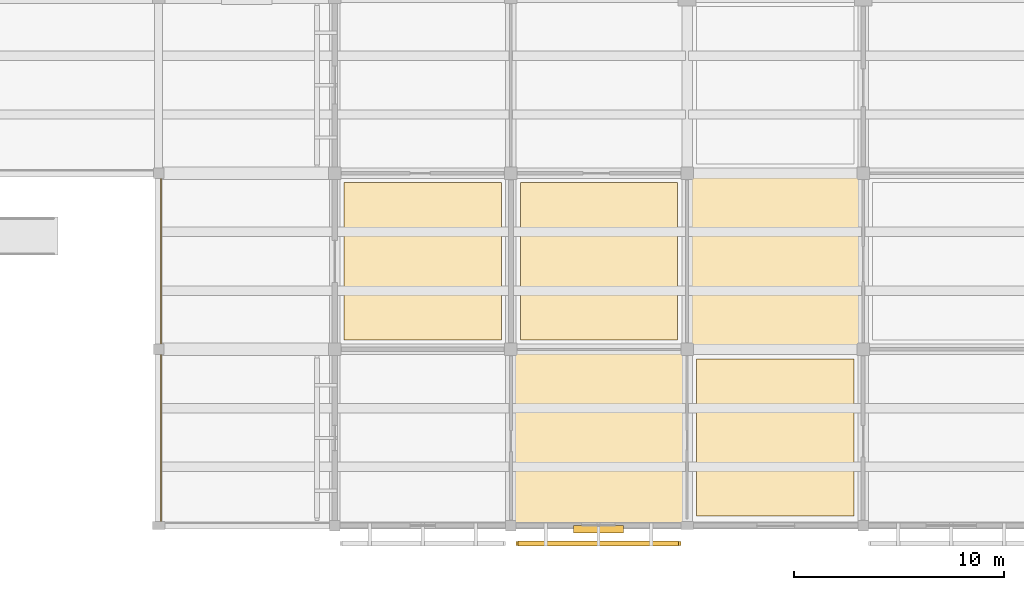
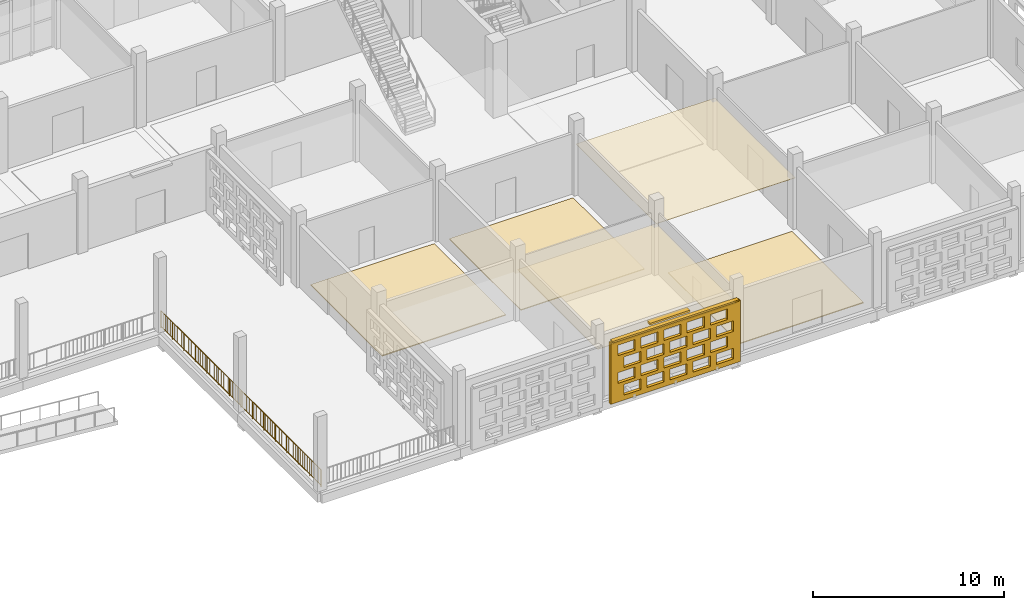
# One storey, part 111 of 129: 6 coverings, 2 shading devices, 1 railing, 20 openings.
"""IFC4 building model written with IfcOpenShell, lengths in metres."""

from ifc_helpers import new_model, si_unit, direction, frame, frame_2d, origin, origin_2d, place, context, subcontext, project, spatial, rectangle, circle, extrude, material, layer, layer_set, type_object, element, save


model = new_model("IFC4")

# Units and contexts
model_context = context("Model", 3, precision=1e-05, world=origin(), true_north=direction((0.0, 1.0)))
body_context = subcontext(model_context, "Body", "Model", "MODEL_VIEW")
ifc_project = project(units=[si_unit("LENGTHUNIT", "METRE"), si_unit("AREAUNIT", "SQUARE_METRE"), si_unit("VOLUMEUNIT", "CUBIC_METRE"), si_unit("PLANEANGLEUNIT", "RADIAN"), si_unit("MASSUNIT", "GRAM", prefix="KILO")], contexts=[model_context])

# Site, building, storey
site_placement = place(None, origin())
site = spatial("IfcSite", under=ifc_project, at=site_placement, CompositionType="ELEMENT")
building_placement = place(site_placement, origin())
building = spatial("IfcBuilding", under=site, at=building_placement, Name="Varnapada Polytechnic", CompositionType="ELEMENT")
storey_placement = place(building_placement, origin())
storey = spatial("IfcBuildingStorey", under=building, at=storey_placement, Name="L00", CompositionType="ELEMENT", Elevation=0.0)

# Coverings
ifc_material_1 = material(Name="Anti-Static Raised Laboratory Flooring")
ifc_layer_1 = layer(ifc_material_1, 0.06005859375)
ifc_layer_set_1 = layer_set([ifc_layer_1], Name="Anti-Static Raised Laboratory Flooring")
covering_type_1 = type_object("IfcCoveringType", Name="Floor Finish FLR-02", PredefinedType="FLOORING", material=ifc_layer_set_1)
covering_1_placement = place(storey_placement, frame((138.60009765625, 12.60009765625, 0.0), z_axis=(0.0, 0.0, 1.0), x_axis=(1.0, 0.0, 0.0)))
element("IfcCovering", 1, at=covering_1_placement, inside=storey, type_object=covering_type_1, Name="L00 floor finish panel (17,2)", PredefinedType="FLOORING", context=body_context, shape_type="SweptSolid", body=[
    extrude(rectangle(XDim=7.5, YDim=7.5, at=origin_2d()), origin(), (0.0, 0.0, 1.0), 0.06005859375),
])
ifc_material_2 = material(Name="End-Grain Timber Studio Block Flooring", Category="wood")
ifc_layer_2 = layer(ifc_material_2, 0.054931640625)
ifc_layer_set_2 = layer_set([ifc_layer_2], Name="End-Grain Timber Studio Block Flooring")
covering_type_2 = type_object("IfcCoveringType", Name="Floor Finish FLR-04", PredefinedType="FLOORING", material=ifc_layer_set_2)
for number, where, z_axis, x_axis, name in (
    (2, (147.0, 12.60009765625, 0.0), (0.0, 0.0, 1.0), (1.0, 0.0, 0.0), "L00 floor finish panel (18,2)"),
    (3, (155.39990234375, 4.199951171875, 0.0), (0.0, 0.0, 1.0), (1.0, 0.0, 0.0), "L00 floor finish panel (19,1)"),
):
    element("IfcCovering", number, at=place(storey_placement, frame(where, z_axis=z_axis, x_axis=x_axis)), inside=storey, type_object=covering_type_2, Name=name, PredefinedType="FLOORING", context=body_context, shape_type="SweptSolid", body=[
        extrude(rectangle(XDim=7.5, YDim=7.5, at=origin_2d()), origin(), (0.0, 0.0, 1.0), 0.054931640625),
    ])

# Shading device
ifc_material_3 = material(Name="Anodised aluminium", Category="aluminium")
ifc_layer_3 = layer(ifc_material_3, 0.35009765625)
ifc_layer_set_3 = layer_set([ifc_layer_3], Name="Anodised aluminium")
shading_device_type_1 = type_object("IfcShadingDeviceType", Name="Solar Louvre LVR-01", PredefinedType="JALOUSIE", material=ifc_layer_set_3)
shading_device_1_placement = place(storey_placement, frame((146.97509765625, -0.179931640625, 3.760009765625), z_axis=(0.0, 0.0, 1.0), x_axis=(-1.0, 0.0, 0.0)))
element("IfcShadingDevice", 4, at=shading_device_1_placement, inside=storey, type_object=shading_device_type_1, Name="L00 aluminium sun louvre 91", PredefinedType="JALOUSIE", context=body_context, shape_type="SweptSolid", body=[
    extrude(rectangle(XDim=2.39990234375, YDim=0.340087890625, at=origin_2d()), origin(), (0.0, 0.0, 1.0), 0.1201171875),
])

# Coverings
ifc_material_4 = material(Name="Moisture-Resistant Aluminum Baffle Ceiling", Category="aluminium")
ifc_layer_4 = layer(ifc_material_4, 0.030029296875)
ifc_layer_set_4 = layer_set([ifc_layer_4], Name="Moisture-Resistant Aluminum Baffle Ceiling")
covering_type_3 = type_object("IfcCoveringType", Name="Suspended Ceiling CLG-03", PredefinedType="CEILING", material=ifc_layer_set_4)
for number, where, z_axis, x_axis, name in (
    (5, (147.0, 4.199951171875, 3.03515625), (0.0, 0.0, 1.0), (1.0, 0.0, 0.0), "L00 suspended acoustic ceiling (18,1)"),
    (6, (155.39990234375, 12.60009765625, 3.03515625), (0.0, 0.0, 1.0), (1.0, 0.0, 0.0), "L00 suspended acoustic ceiling (19,2)"),
):
    element("IfcCovering", number, at=place(storey_placement, frame(where, z_axis=z_axis, x_axis=x_axis)), inside=storey, type_object=covering_type_3, Name=name, PredefinedType="CEILING", context=body_context, shape_type="SweptSolid", body=[
        extrude(rectangle(XDim=8.419921875, YDim=8.419921875, at=origin_2d()), origin(), (0.0, 0.0, 1.0), 0.030029296875),
    ])

# Railing
ifc_material_5 = material(Name="Painted galvanized steel", Category="steel")
railing_type = type_object("IfcRailingType", Name="Terrace Guard Rail GRD-01", PredefinedType="BALUSTRADE", material=ifc_material_5)
railing_placement = place(storey_placement, frame((126.1201171875, 16.919921875, 0.0)))
element("IfcRailing", 7, at=railing_placement, inside=storey, type_object=railing_type, Name="L00 civic square colonnade edge guard GRD-SQ-E1", PredefinedType="BALUSTRADE", context=body_context, shape_type="SweptSolid", body=[
    extrude(circle(Radius=0.02392578125, at=origin_2d()), frame((0.0, 0.0, 1.09619140625), z_axis=(0.0, -1.0, 0.0), x_axis=(1.0, 0.0, 0.0)), (0.0, 0.0, 1.0), 16.7998046875),
    extrude(circle(Radius=0.02392578125, at=origin_2d()), frame((0.0, 0.0, 0.10009765625), z_axis=(0.0, -1.0, 0.0), x_axis=(1.0, 0.0, 0.0)), (0.0, 0.0, 1.0), 16.7998046875),
    extrude(circle(Radius=0.02099609375, at=origin_2d()), origin(), (0.0, 0.0, 1.0), 1.072021484375),
    extrude(circle(Radius=0.02099609375, at=origin_2d()), frame((0.0, -1.199951171875, 0.0)), (0.0, 0.0, 1.0), 1.072021484375),
    extrude(circle(Radius=0.02099609375, at=origin_2d()), frame((0.0, -2.39990234375, 0.0)), (0.0, 0.0, 1.0), 1.072021484375),
    extrude(circle(Radius=0.02099609375, at=origin_2d()), frame((0.0, -3.599853515625, 0.0)), (0.0, 0.0, 1.0), 1.072021484375),
    extrude(circle(Radius=0.02099609375, at=origin_2d()), frame((0.0, -4.800048828125, 0.0)), (0.0, 0.0, 1.0), 1.072021484375),
    extrude(circle(Radius=0.02099609375, at=origin_2d()), frame((0.0, -6.0, 0.0)), (0.0, 0.0, 1.0), 1.072021484375),
    extrude(circle(Radius=0.02099609375, at=origin_2d()), frame((0.0, -7.199951171875, 0.0)), (0.0, 0.0, 1.0), 1.072021484375),
    extrude(circle(Radius=0.02099609375, at=origin_2d()), frame((0.0, -8.39990234375, 0.0)), (0.0, 0.0, 1.0), 1.072021484375),
    extrude(circle(Radius=0.02099609375, at=origin_2d()), frame((0.0, -9.599853515625, 0.0)), (0.0, 0.0, 1.0), 1.072021484375),
    extrude(circle(Radius=0.02099609375, at=origin_2d()), frame((0.0, -10.7998046875, 0.0)), (0.0, 0.0, 1.0), 1.072021484375),
    extrude(circle(Radius=0.02099609375, at=origin_2d()), frame((0.0, -11.999755859375, 0.0)), (0.0, 0.0, 1.0), 1.072021484375),
    extrude(circle(Radius=0.02099609375, at=origin_2d()), frame((0.0, -13.199951171875, 0.0)), (0.0, 0.0, 1.0), 1.072021484375),
    extrude(circle(Radius=0.02099609375, at=origin_2d()), frame((0.0, -14.39990234375, 0.0)), (0.0, 0.0, 1.0), 1.072021484375),
    extrude(circle(Radius=0.02099609375, at=origin_2d()), frame((0.0, -15.599853515625, 0.0)), (0.0, 0.0, 1.0), 1.072021484375),
    extrude(circle(Radius=0.02099609375, at=origin_2d()), frame((0.0, -16.7998046875, 0.0)), (0.0, 0.0, 1.0), 1.072021484375),
    extrude(circle(Radius=0.010009765625, at=origin_2d()), frame((0.0, -0.243408203125, 0.10009765625)), (0.0, 0.0, 1.0), 0.971923828125),
    extrude(circle(Radius=0.010009765625, at=origin_2d()), frame((0.0, -0.487060546875, 0.10009765625)), (0.0, 0.0, 1.0), 0.971923828125),
    extrude(circle(Radius=0.010009765625, at=origin_2d()), frame((0.0, -0.73046875, 0.10009765625)), (0.0, 0.0, 1.0), 0.971923828125),
    extrude(circle(Radius=0.010009765625, at=origin_2d()), frame((0.0, -0.973876953125, 0.10009765625)), (0.0, 0.0, 1.0), 0.971923828125),
    extrude(circle(Radius=0.010009765625, at=origin_2d()), frame((0.0, -1.21728515625, 0.10009765625)), (0.0, 0.0, 1.0), 0.971923828125),
    extrude(circle(Radius=0.010009765625, at=origin_2d()), frame((0.0, -1.4609375, 0.10009765625)), (0.0, 0.0, 1.0), 0.971923828125),
    extrude(circle(Radius=0.010009765625, at=origin_2d()), frame((0.0, -1.704345703125, 0.10009765625)), (0.0, 0.0, 1.0), 0.971923828125),
    extrude(circle(Radius=0.010009765625, at=origin_2d()), frame((0.0, -1.94775390625, 0.10009765625)), (0.0, 0.0, 1.0), 0.971923828125),
    extrude(circle(Radius=0.010009765625, at=origin_2d()), frame((0.0, -2.191162109375, 0.10009765625)), (0.0, 0.0, 1.0), 0.971923828125),
    extrude(circle(Radius=0.010009765625, at=origin_2d()), frame((0.0, -2.434814453125, 0.10009765625)), (0.0, 0.0, 1.0), 0.971923828125),
    extrude(circle(Radius=0.010009765625, at=origin_2d()), frame((0.0, -2.67822265625, 0.10009765625)), (0.0, 0.0, 1.0), 0.971923828125),
    extrude(circle(Radius=0.010009765625, at=origin_2d()), frame((0.0, -2.921630859375, 0.10009765625)), (0.0, 0.0, 1.0), 0.971923828125),
    extrude(circle(Radius=0.010009765625, at=origin_2d()), frame((0.0, -3.165283203125, 0.10009765625)), (0.0, 0.0, 1.0), 0.971923828125),
    extrude(circle(Radius=0.010009765625, at=origin_2d()), frame((0.0, -3.40869140625, 0.10009765625)), (0.0, 0.0, 1.0), 0.971923828125),
    extrude(circle(Radius=0.010009765625, at=origin_2d()), frame((0.0, -3.652099609375, 0.10009765625)), (0.0, 0.0, 1.0), 0.971923828125),
    extrude(circle(Radius=0.010009765625, at=origin_2d()), frame((0.0, -3.8955078125, 0.10009765625)), (0.0, 0.0, 1.0), 0.971923828125),
    extrude(circle(Radius=0.010009765625, at=origin_2d()), frame((0.0, -4.13916015625, 0.10009765625)), (0.0, 0.0, 1.0), 0.971923828125),
    extrude(circle(Radius=0.010009765625, at=origin_2d()), frame((0.0, -4.382568359375, 0.10009765625)), (0.0, 0.0, 1.0), 0.971923828125),
    extrude(circle(Radius=0.010009765625, at=origin_2d()), frame((0.0, -4.6259765625, 0.10009765625)), (0.0, 0.0, 1.0), 0.971923828125),
    extrude(circle(Radius=0.010009765625, at=origin_2d()), frame((0.0, -4.86962890625, 0.10009765625)), (0.0, 0.0, 1.0), 0.971923828125),
    extrude(circle(Radius=0.010009765625, at=origin_2d()), frame((0.0, -5.113037109375, 0.10009765625)), (0.0, 0.0, 1.0), 0.971923828125),
    extrude(circle(Radius=0.010009765625, at=origin_2d()), frame((0.0, -5.3564453125, 0.10009765625)), (0.0, 0.0, 1.0), 0.971923828125),
    extrude(circle(Radius=0.010009765625, at=origin_2d()), frame((0.0, -5.599853515625, 0.10009765625)), (0.0, 0.0, 1.0), 0.971923828125),
    extrude(circle(Radius=0.010009765625, at=origin_2d()), frame((0.0, -5.843505859375, 0.10009765625)), (0.0, 0.0, 1.0), 0.971923828125),
    extrude(circle(Radius=0.010009765625, at=origin_2d()), frame((0.0, -6.0869140625, 0.10009765625)), (0.0, 0.0, 1.0), 0.971923828125),
    extrude(circle(Radius=0.010009765625, at=origin_2d()), frame((0.0, -6.330322265625, 0.10009765625)), (0.0, 0.0, 1.0), 0.971923828125),
    extrude(circle(Radius=0.010009765625, at=origin_2d()), frame((0.0, -6.57373046875, 0.10009765625)), (0.0, 0.0, 1.0), 0.971923828125),
    extrude(circle(Radius=0.010009765625, at=origin_2d()), frame((0.0, -6.8173828125, 0.10009765625)), (0.0, 0.0, 1.0), 0.971923828125),
    extrude(circle(Radius=0.010009765625, at=origin_2d()), frame((0.0, -7.060791015625, 0.10009765625)), (0.0, 0.0, 1.0), 0.971923828125),
    extrude(circle(Radius=0.010009765625, at=origin_2d()), frame((0.0, -7.30419921875, 0.10009765625)), (0.0, 0.0, 1.0), 0.971923828125),
    extrude(circle(Radius=0.010009765625, at=origin_2d()), frame((0.0, -7.5478515625, 0.10009765625)), (0.0, 0.0, 1.0), 0.971923828125),
    extrude(circle(Radius=0.010009765625, at=origin_2d()), frame((0.0, -7.791259765625, 0.10009765625)), (0.0, 0.0, 1.0), 0.971923828125),
    extrude(circle(Radius=0.010009765625, at=origin_2d()), frame((0.0, -8.03466796875, 0.10009765625)), (0.0, 0.0, 1.0), 0.971923828125),
    extrude(circle(Radius=0.010009765625, at=origin_2d()), frame((0.0, -8.278076171875, 0.10009765625)), (0.0, 0.0, 1.0), 0.971923828125),
    extrude(circle(Radius=0.010009765625, at=origin_2d()), frame((0.0, -8.521728515625, 0.10009765625)), (0.0, 0.0, 1.0), 0.971923828125),
    extrude(circle(Radius=0.010009765625, at=origin_2d()), frame((0.0, -8.76513671875, 0.10009765625)), (0.0, 0.0, 1.0), 0.971923828125),
    extrude(circle(Radius=0.010009765625, at=origin_2d()), frame((0.0, -9.008544921875, 0.10009765625)), (0.0, 0.0, 1.0), 0.971923828125),
    extrude(circle(Radius=0.010009765625, at=origin_2d()), frame((0.0, -9.251953125, 0.10009765625)), (0.0, 0.0, 1.0), 0.971923828125),
    extrude(circle(Radius=0.010009765625, at=origin_2d()), frame((0.0, -9.49560546875, 0.10009765625)), (0.0, 0.0, 1.0), 0.971923828125),
    extrude(circle(Radius=0.010009765625, at=origin_2d()), frame((0.0, -9.739013671875, 0.10009765625)), (0.0, 0.0, 1.0), 0.971923828125),
    extrude(circle(Radius=0.010009765625, at=origin_2d()), frame((0.0, -9.982421875, 0.10009765625)), (0.0, 0.0, 1.0), 0.971923828125),
    extrude(circle(Radius=0.010009765625, at=origin_2d()), frame((0.0, -10.22607421875, 0.10009765625)), (0.0, 0.0, 1.0), 0.971923828125),
    extrude(circle(Radius=0.010009765625, at=origin_2d()), frame((0.0, -10.469482421875, 0.10009765625)), (0.0, 0.0, 1.0), 0.971923828125),
    extrude(circle(Radius=0.010009765625, at=origin_2d()), frame((0.0, -10.712890625, 0.10009765625)), (0.0, 0.0, 1.0), 0.971923828125),
    extrude(circle(Radius=0.010009765625, at=origin_2d()), frame((0.0, -10.956298828125, 0.10009765625)), (0.0, 0.0, 1.0), 0.971923828125),
    extrude(circle(Radius=0.010009765625, at=origin_2d()), frame((0.0, -11.199951171875, 0.10009765625)), (0.0, 0.0, 1.0), 0.971923828125),
    extrude(circle(Radius=0.010009765625, at=origin_2d()), frame((0.0, -11.443359375, 0.10009765625)), (0.0, 0.0, 1.0), 0.971923828125),
    extrude(circle(Radius=0.010009765625, at=origin_2d()), frame((0.0, -11.686767578125, 0.10009765625)), (0.0, 0.0, 1.0), 0.971923828125),
    extrude(circle(Radius=0.010009765625, at=origin_2d()), frame((0.0, -11.93017578125, 0.10009765625)), (0.0, 0.0, 1.0), 0.971923828125),
    extrude(circle(Radius=0.010009765625, at=origin_2d()), frame((0.0, -12.173828125, 0.10009765625)), (0.0, 0.0, 1.0), 0.971923828125),
    extrude(circle(Radius=0.010009765625, at=origin_2d()), frame((0.0, -12.417236328125, 0.10009765625)), (0.0, 0.0, 1.0), 0.971923828125),
    extrude(circle(Radius=0.010009765625, at=origin_2d()), frame((0.0, -12.66064453125, 0.10009765625)), (0.0, 0.0, 1.0), 0.971923828125),
    extrude(circle(Radius=0.010009765625, at=origin_2d()), frame((0.0, -12.904296875, 0.10009765625)), (0.0, 0.0, 1.0), 0.971923828125),
    extrude(circle(Radius=0.010009765625, at=origin_2d()), frame((0.0, -13.147705078125, 0.10009765625)), (0.0, 0.0, 1.0), 0.971923828125),
    extrude(circle(Radius=0.010009765625, at=origin_2d()), frame((0.0, -13.39111328125, 0.10009765625)), (0.0, 0.0, 1.0), 0.971923828125),
    extrude(circle(Radius=0.010009765625, at=origin_2d()), frame((0.0, -13.634521484375, 0.10009765625)), (0.0, 0.0, 1.0), 0.971923828125),
    extrude(circle(Radius=0.010009765625, at=origin_2d()), frame((0.0, -13.878173828125, 0.10009765625)), (0.0, 0.0, 1.0), 0.971923828125),
    extrude(circle(Radius=0.010009765625, at=origin_2d()), frame((0.0, -14.12158203125, 0.10009765625)), (0.0, 0.0, 1.0), 0.971923828125),
    extrude(circle(Radius=0.010009765625, at=origin_2d()), frame((0.0, -14.364990234375, 0.10009765625)), (0.0, 0.0, 1.0), 0.971923828125),
    extrude(circle(Radius=0.010009765625, at=origin_2d()), frame((0.0, -14.608642578125, 0.10009765625)), (0.0, 0.0, 1.0), 0.971923828125),
    extrude(circle(Radius=0.010009765625, at=origin_2d()), frame((0.0, -14.85205078125, 0.10009765625)), (0.0, 0.0, 1.0), 0.971923828125),
    extrude(circle(Radius=0.010009765625, at=origin_2d()), frame((0.0, -15.095458984375, 0.10009765625)), (0.0, 0.0, 1.0), 0.971923828125),
    extrude(circle(Radius=0.010009765625, at=origin_2d()), frame((0.0, -15.3388671875, 0.10009765625)), (0.0, 0.0, 1.0), 0.971923828125),
    extrude(circle(Radius=0.010009765625, at=origin_2d()), frame((0.0, -15.58251953125, 0.10009765625)), (0.0, 0.0, 1.0), 0.971923828125),
    extrude(circle(Radius=0.010009765625, at=origin_2d()), frame((0.0, -15.825927734375, 0.10009765625)), (0.0, 0.0, 1.0), 0.971923828125),
    extrude(circle(Radius=0.010009765625, at=origin_2d()), frame((0.0, -16.0693359375, 0.10009765625)), (0.0, 0.0, 1.0), 0.971923828125),
    extrude(circle(Radius=0.010009765625, at=origin_2d()), frame((0.0, -16.312744140625, 0.10009765625)), (0.0, 0.0, 1.0), 0.971923828125),
    extrude(circle(Radius=0.010009765625, at=origin_2d()), frame((0.0, -16.556396484375, 0.10009765625)), (0.0, 0.0, 1.0), 0.971923828125),
])

# Covering, openings
ifc_material_6 = material(Name="Earth-toned architectural terracotta screen block", Category="masonry")
ifc_layer_5 = layer(ifc_material_6, 0.1201171875)
ifc_layer_set_5 = layer_set([ifc_layer_5], Name="Earth-toned architectural terracotta screen block")
covering_type_4 = type_object("IfcCoveringType", Name="Terracotta Screen Cladding CLD-01", PredefinedType="CLADDING", material=ifc_layer_set_5)
covering_2_placement = place(storey_placement, frame((150.89990234375, -0.85009765625, 0.0), z_axis=(0.0, 0.0, 1.0), x_axis=(-1.0, 0.0, 0.0)))
covering_2 = element("IfcCovering", 8, at=covering_2_placement, inside=storey, type_object=covering_type_4, Name="L00 perforated terracotta block screen (91)", PredefinedType="CLADDING", context=body_context, shape_type="SweptSolid", body=[
    extrude(rectangle(XDim=7.849853515625, YDim=0.179931640625, at=frame_2d((3.9248046875, 0.0))), origin(), (0.0, 0.0, 1.0), 3.919921875),
])
opening_1_placement = place(covering_2_placement, frame((0.425048828125, 0.0, 0.313720703125)))
element("IfcOpeningElement", 9, at=opening_1_placement, cuts=covering_2, Name="Screen perforation TBS-L00-090.1", PredefinedType="OPENING", context=body_context, shape_type="SweptSolid", body=[
    extrude(rectangle(XDim=1.0400390625, YDim=0.679931640625, at=frame_2d((0.52001953125, 0.33984375))), frame((0.0, 0.099853515625, 0.0), z_axis=(0.0, -1.0, 0.0), x_axis=(1.0, 0.0, 0.0)), (0.0, 0.0, 1.0), 0.199951171875),
])
opening_2_placement = place(covering_2_placement, frame((1.824951171875, 0.0, 0.313720703125)))
element("IfcOpeningElement", 10, at=opening_2_placement, cuts=covering_2, Name="Screen perforation TBS-L00-090.2", PredefinedType="OPENING", context=body_context, shape_type="SweptSolid", body=[
    extrude(rectangle(XDim=1.0400390625, YDim=0.679931640625, at=frame_2d((0.52001953125, 0.33984375))), frame((0.0, 0.099853515625, 0.0), z_axis=(0.0, -1.0, 0.0), x_axis=(1.0, 0.0, 0.0)), (0.0, 0.0, 1.0), 0.199951171875),
])
opening_3_placement = place(covering_2_placement, frame((3.22509765625, 0.0, 0.313720703125)))
element("IfcOpeningElement", 11, at=opening_3_placement, cuts=covering_2, Name="Screen perforation TBS-L00-090.3", PredefinedType="OPENING", context=body_context, shape_type="SweptSolid", body=[
    extrude(rectangle(XDim=1.0400390625, YDim=0.679931640625, at=frame_2d((0.52001953125, 0.33984375))), frame((0.0, 0.099853515625, 0.0), z_axis=(0.0, -1.0, 0.0), x_axis=(1.0, 0.0, 0.0)), (0.0, 0.0, 1.0), 0.199951171875),
])
opening_4_placement = place(covering_2_placement, frame((4.625, 0.0, 0.313720703125)))
element("IfcOpeningElement", 12, at=opening_4_placement, cuts=covering_2, Name="Screen perforation TBS-L00-090.4", PredefinedType="OPENING", context=body_context, shape_type="SweptSolid", body=[
    extrude(rectangle(XDim=1.0400390625, YDim=0.679931640625, at=frame_2d((0.52001953125, 0.33984375))), frame((0.0, 0.099853515625, 0.0), z_axis=(0.0, -1.0, 0.0), x_axis=(1.0, 0.0, 0.0)), (0.0, 0.0, 1.0), 0.199951171875),
])
opening_5_placement = place(covering_2_placement, frame((6.02490234375, 0.0, 0.313720703125)))
element("IfcOpeningElement", 13, at=opening_5_placement, cuts=covering_2, Name="Screen perforation TBS-L00-090.5", PredefinedType="OPENING", context=body_context, shape_type="SweptSolid", body=[
    extrude(rectangle(XDim=1.0400390625, YDim=0.679931640625, at=frame_2d((0.52001953125, 0.33984375))), frame((0.0, 0.099853515625, 0.0), z_axis=(0.0, -1.0, 0.0), x_axis=(1.0, 0.0, 0.0)), (0.0, 0.0, 1.0), 0.199951171875),
])
opening_6_placement = place(covering_2_placement, frame((0.784912109375, 0.0, 1.195556640625)))
element("IfcOpeningElement", 14, at=opening_6_placement, cuts=covering_2, Name="Screen perforation TBS-L00-090.6", PredefinedType="OPENING", context=body_context, shape_type="SweptSolid", body=[
    extrude(rectangle(XDim=1.0400390625, YDim=0.679931640625, at=frame_2d((0.52001953125, 0.33984375))), frame((0.0, 0.099853515625, 0.0), z_axis=(0.0, -1.0, 0.0), x_axis=(1.0, 0.0, 0.0)), (0.0, 0.0, 1.0), 0.199951171875),
])
opening_7_placement = place(covering_2_placement, frame((2.18505859375, 0.0, 1.195556640625)))
element("IfcOpeningElement", 15, at=opening_7_placement, cuts=covering_2, Name="Screen perforation TBS-L00-090.7", PredefinedType="OPENING", context=body_context, shape_type="SweptSolid", body=[
    extrude(rectangle(XDim=1.0400390625, YDim=0.679931640625, at=frame_2d((0.52001953125, 0.33984375))), frame((0.0, 0.099853515625, 0.0), z_axis=(0.0, -1.0, 0.0), x_axis=(1.0, 0.0, 0.0)), (0.0, 0.0, 1.0), 0.199951171875),
])
opening_8_placement = place(covering_2_placement, frame((3.5849609375, 0.0, 1.195556640625)))
element("IfcOpeningElement", 16, at=opening_8_placement, cuts=covering_2, Name="Screen perforation TBS-L00-090.8", PredefinedType="OPENING", context=body_context, shape_type="SweptSolid", body=[
    extrude(rectangle(XDim=1.0400390625, YDim=0.679931640625, at=frame_2d((0.52001953125, 0.33984375))), frame((0.0, 0.099853515625, 0.0), z_axis=(0.0, -1.0, 0.0), x_axis=(1.0, 0.0, 0.0)), (0.0, 0.0, 1.0), 0.199951171875),
])
opening_9_placement = place(covering_2_placement, frame((4.985107421875, 0.0, 1.195556640625)))
element("IfcOpeningElement", 17, at=opening_9_placement, cuts=covering_2, Name="Screen perforation TBS-L00-090.9", PredefinedType="OPENING", context=body_context, shape_type="SweptSolid", body=[
    extrude(rectangle(XDim=1.0400390625, YDim=0.679931640625, at=frame_2d((0.52001953125, 0.33984375))), frame((0.0, 0.099853515625, 0.0), z_axis=(0.0, -1.0, 0.0), x_axis=(1.0, 0.0, 0.0)), (0.0, 0.0, 1.0), 0.199951171875),
])
opening_10_placement = place(covering_2_placement, frame((6.385009765625, 0.0, 1.195556640625)))
element("IfcOpeningElement", 18, at=opening_10_placement, cuts=covering_2, Name="Screen perforation TBS-L00-090.10", PredefinedType="OPENING", context=body_context, shape_type="SweptSolid", body=[
    extrude(rectangle(XDim=1.0400390625, YDim=0.679931640625, at=frame_2d((0.52001953125, 0.33984375))), frame((0.0, 0.099853515625, 0.0), z_axis=(0.0, -1.0, 0.0), x_axis=(1.0, 0.0, 0.0)), (0.0, 0.0, 1.0), 0.199951171875),
])
opening_11_placement = place(covering_2_placement, frame((0.425048828125, 0.0, 2.07763671875)))
element("IfcOpeningElement", 19, at=opening_11_placement, cuts=covering_2, Name="Screen perforation TBS-L00-090.11", PredefinedType="OPENING", context=body_context, shape_type="SweptSolid", body=[
    extrude(rectangle(XDim=1.0400390625, YDim=0.679931640625, at=frame_2d((0.52001953125, 0.33984375))), frame((0.0, 0.099853515625, 0.0), z_axis=(0.0, -1.0, 0.0), x_axis=(1.0, 0.0, 0.0)), (0.0, 0.0, 1.0), 0.199951171875),
])
opening_12_placement = place(covering_2_placement, frame((1.824951171875, 0.0, 2.07763671875)))
element("IfcOpeningElement", 20, at=opening_12_placement, cuts=covering_2, Name="Screen perforation TBS-L00-090.12", PredefinedType="OPENING", context=body_context, shape_type="SweptSolid", body=[
    extrude(rectangle(XDim=1.0400390625, YDim=0.679931640625, at=frame_2d((0.52001953125, 0.33984375))), frame((0.0, 0.099853515625, 0.0), z_axis=(0.0, -1.0, 0.0), x_axis=(1.0, 0.0, 0.0)), (0.0, 0.0, 1.0), 0.199951171875),
])
opening_13_placement = place(covering_2_placement, frame((3.22509765625, 0.0, 2.07763671875)))
element("IfcOpeningElement", 21, at=opening_13_placement, cuts=covering_2, Name="Screen perforation TBS-L00-090.13", PredefinedType="OPENING", context=body_context, shape_type="SweptSolid", body=[
    extrude(rectangle(XDim=1.0400390625, YDim=0.679931640625, at=frame_2d((0.52001953125, 0.33984375))), frame((0.0, 0.099853515625, 0.0), z_axis=(0.0, -1.0, 0.0), x_axis=(1.0, 0.0, 0.0)), (0.0, 0.0, 1.0), 0.199951171875),
])
opening_14_placement = place(covering_2_placement, frame((4.625, 0.0, 2.07763671875)))
element("IfcOpeningElement", 22, at=opening_14_placement, cuts=covering_2, Name="Screen perforation TBS-L00-090.14", PredefinedType="OPENING", context=body_context, shape_type="SweptSolid", body=[
    extrude(rectangle(XDim=1.0400390625, YDim=0.679931640625, at=frame_2d((0.52001953125, 0.33984375))), frame((0.0, 0.099853515625, 0.0), z_axis=(0.0, -1.0, 0.0), x_axis=(1.0, 0.0, 0.0)), (0.0, 0.0, 1.0), 0.199951171875),
])
opening_15_placement = place(covering_2_placement, frame((6.02490234375, 0.0, 2.07763671875)))
element("IfcOpeningElement", 23, at=opening_15_placement, cuts=covering_2, Name="Screen perforation TBS-L00-090.15", PredefinedType="OPENING", context=body_context, shape_type="SweptSolid", body=[
    extrude(rectangle(XDim=1.0400390625, YDim=0.679931640625, at=frame_2d((0.52001953125, 0.33984375))), frame((0.0, 0.099853515625, 0.0), z_axis=(0.0, -1.0, 0.0), x_axis=(1.0, 0.0, 0.0)), (0.0, 0.0, 1.0), 0.199951171875),
])
opening_16_placement = place(covering_2_placement, frame((0.784912109375, 0.0, 2.959716796875)))
element("IfcOpeningElement", 24, at=opening_16_placement, cuts=covering_2, Name="Screen perforation TBS-L00-090.16", PredefinedType="OPENING", context=body_context, shape_type="SweptSolid", body=[
    extrude(rectangle(XDim=1.0400390625, YDim=0.679931640625, at=frame_2d((0.52001953125, 0.33984375))), frame((0.0, 0.099853515625, 0.0), z_axis=(0.0, -1.0, 0.0), x_axis=(1.0, 0.0, 0.0)), (0.0, 0.0, 1.0), 0.199951171875),
])
opening_17_placement = place(covering_2_placement, frame((2.18505859375, 0.0, 2.959716796875)))
element("IfcOpeningElement", 25, at=opening_17_placement, cuts=covering_2, Name="Screen perforation TBS-L00-090.17", PredefinedType="OPENING", context=body_context, shape_type="SweptSolid", body=[
    extrude(rectangle(XDim=1.0400390625, YDim=0.679931640625, at=frame_2d((0.52001953125, 0.33984375))), frame((0.0, 0.099853515625, 0.0), z_axis=(0.0, -1.0, 0.0), x_axis=(1.0, 0.0, 0.0)), (0.0, 0.0, 1.0), 0.199951171875),
])
opening_18_placement = place(covering_2_placement, frame((3.5849609375, 0.0, 2.959716796875)))
element("IfcOpeningElement", 26, at=opening_18_placement, cuts=covering_2, Name="Screen perforation TBS-L00-090.18", PredefinedType="OPENING", context=body_context, shape_type="SweptSolid", body=[
    extrude(rectangle(XDim=1.0400390625, YDim=0.679931640625, at=frame_2d((0.52001953125, 0.33984375))), frame((0.0, 0.099853515625, 0.0), z_axis=(0.0, -1.0, 0.0), x_axis=(1.0, 0.0, 0.0)), (0.0, 0.0, 1.0), 0.199951171875),
])
opening_19_placement = place(covering_2_placement, frame((4.985107421875, 0.0, 2.959716796875)))
element("IfcOpeningElement", 27, at=opening_19_placement, cuts=covering_2, Name="Screen perforation TBS-L00-090.19", PredefinedType="OPENING", context=body_context, shape_type="SweptSolid", body=[
    extrude(rectangle(XDim=1.0400390625, YDim=0.679931640625, at=frame_2d((0.52001953125, 0.33984375))), frame((0.0, 0.099853515625, 0.0), z_axis=(0.0, -1.0, 0.0), x_axis=(1.0, 0.0, 0.0)), (0.0, 0.0, 1.0), 0.199951171875),
])
opening_20_placement = place(covering_2_placement, frame((6.385009765625, 0.0, 2.959716796875)))
element("IfcOpeningElement", 28, at=opening_20_placement, cuts=covering_2, Name="Screen perforation TBS-L00-090.20", PredefinedType="OPENING", context=body_context, shape_type="SweptSolid", body=[
    extrude(rectangle(XDim=1.0400390625, YDim=0.679931640625, at=frame_2d((0.52001953125, 0.33984375))), frame((0.0, 0.099853515625, 0.0), z_axis=(0.0, -1.0, 0.0), x_axis=(1.0, 0.0, 0.0)), (0.0, 0.0, 1.0), 0.199951171875),
])

# Shading device
ifc_layer_6 = layer(ifc_material_6, 0.179931640625)
ifc_layer_set_6 = layer_set([ifc_layer_6], Name="Earth-toned architectural terracotta screen block")
shading_device_type_2 = type_object("IfcShadingDeviceType", Name="Terracotta Screen SCR-02", PredefinedType="USERDEFINED", material=ifc_layer_set_6)
shading_device_2_placement = place(storey_placement, frame((146.97509765625, -0.85009765625, 3.909912109375), z_axis=(0.0, 0.0, 1.0), x_axis=(-1.0, 0.0, 0.0)))
element("IfcShadingDevice", 29, at=shading_device_2_placement, inside=storey, type_object=shading_device_type_2, Name="L00 perforated terracotta screen hood 64", ObjectType="SCREEN", PredefinedType="USERDEFINED", context=body_context, shape_type="SweptSolid", body=[
    extrude(rectangle(XDim=7.64990234375, YDim=0.239990234375, at=origin_2d()), origin(), (0.0, 0.0, 1.0), 0.10009765625),
])

save(model, "model.ifc")
